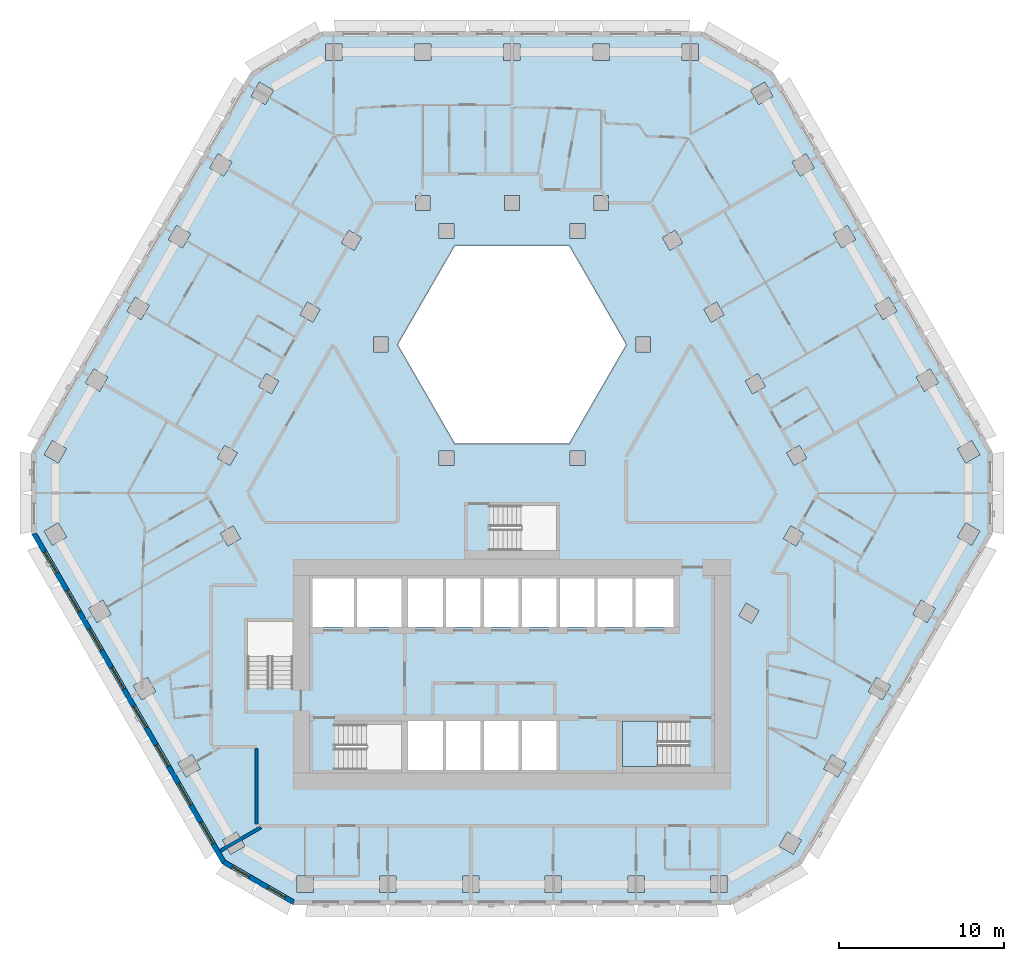
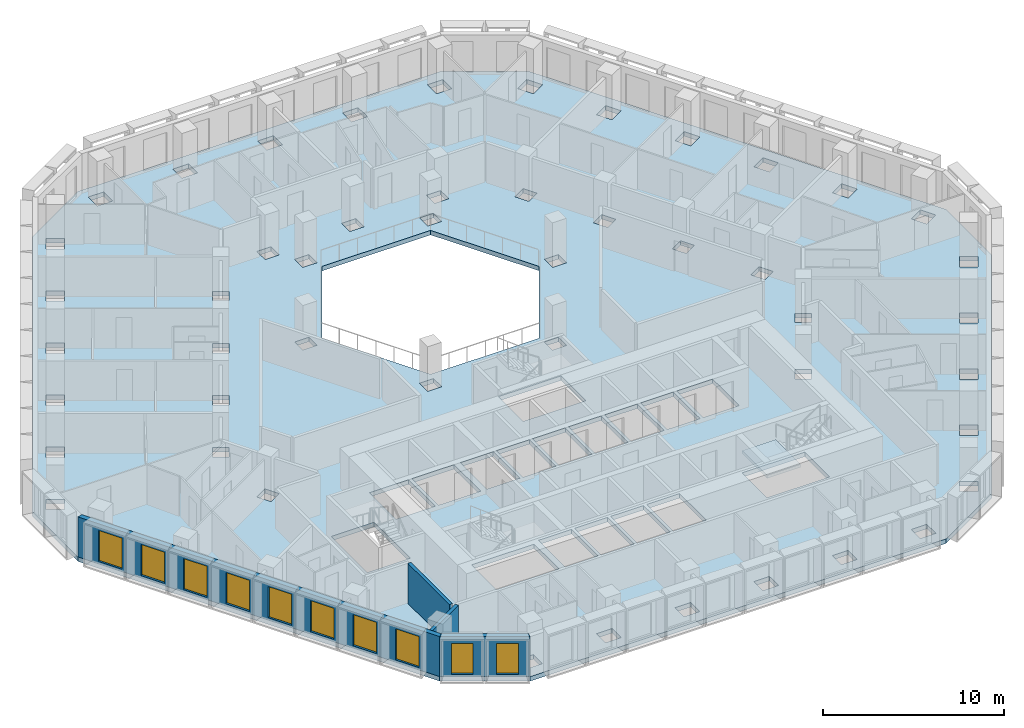
# One storey, part 2 of 18: 10 windows, 4 walls, 2 slabs, 10 openings, 1 element without a shape of its own.
"""IFC4 building model written with IfcOpenShell, lengths in metres."""

from ifc_helpers import new_model, si_unit, direction, frame, frame_2d, origin, place, context, subcontext, project, spatial, polyline, rectangle, outline, extrude, material, layer, layer_set, type_object, element, fill, aggregate, save


model = new_model("IFC4")

# Units and contexts
model_context = context("Model", 3, precision=1e-05, world=origin(), true_north=direction((0.0, 1.0)))
body_context = subcontext(model_context, "Body", "Model", "MODEL_VIEW")
ifc_project = project(units=[si_unit("LENGTHUNIT", "METRE"), si_unit("AREAUNIT", "SQUARE_METRE"), si_unit("VOLUMEUNIT", "CUBIC_METRE"), si_unit("PLANEANGLEUNIT", "RADIAN"), si_unit("MASSUNIT", "GRAM", prefix="KILO")], contexts=[model_context])

# Site, building, storey
site_placement = place(None, origin())
site = spatial("IfcSite", under=ifc_project, at=site_placement, CompositionType="ELEMENT")
building_placement = place(site_placement, origin())
building = spatial("IfcBuilding", under=site, at=building_placement, Name="Beryl Residences", CompositionType="ELEMENT")
storey_placement = place(building_placement, frame((0.0, 0.0, 75.0)))
storey = spatial("IfcBuildingStorey", under=building, at=storey_placement, Name="L22", CompositionType="ELEMENT", Elevation=75.0)

# Slab
ifc_material_1 = material(Name="Concrete C40/50", Category="concrete")
ifc_layer_1 = layer(ifc_material_1, 0.300048828125)
ifc_layer_set_1 = layer_set([ifc_layer_1], Name="SL7 PT floor slab 300 mm C40/50")
slab_type_1 = type_object("IfcSlabType", Name="SL7 PT floor slab 300 mm C40/50", PredefinedType="FLOOR", material=ifc_layer_set_1)
slab_1_placement = place(storey_placement, frame((0.0, 0.0, -0.300048828125)))
element("IfcSlab", 1, at=slab_1_placement, inside=storey, type_object=slab_type_1, Name="L22 slab 1", PredefinedType="FLOOR", context=body_context, shape_type="SweptSolid", body=[
    extrude(outline(polyline([(29.156982421875, -3.5), (17.60888671875, -23.5), (13.279052734375, -26.0), (-13.279052734375, -26.0), (-17.60888671875, -23.5), (-29.156982421875, -3.5), (-29.156982421875, 1.5), (-15.876953125, 24.5), (-11.547119140625, 27.0), (11.547119140625, 27.0), (15.876953125, 24.5), (29.156982421875, 1.5), (29.156982421875, -3.5)]), holes=[polyline([(28.39697265625, 1.31591796875), (27.89697265625, 2.181884765625), (27.031005859375, 1.681884765625), (27.531005859375, 0.81591796875), (28.39697265625, 1.31591796875)]), polyline([(28.39697265625, -3.31591796875), (27.531005859375, -2.81591796875), (27.031005859375, -3.681884765625), (27.89697265625, -4.181884765625), (28.39697265625, -3.31591796875)]), polyline([(25.385009765625, 6.532958984375), (24.51904296875, 6.032958984375), (25.01904296875, 5.1669921875), (25.885009765625, 5.6669921875), (25.385009765625, 6.532958984375)]), polyline([(25.68994140625, -8.00390625), (24.823974609375, -7.50390625), (24.323974609375, -8.3701171875), (25.18994140625, -8.8701171875), (25.68994140625, -8.00390625)]), polyline([(22.873046875, 10.883056640625), (22.007080078125, 10.383056640625), (22.507080078125, 9.51708984375), (23.373046875, 10.01708984375), (22.873046875, 10.883056640625)]), polyline([(22.116943359375, -12.19189453125), (21.616943359375, -13.05810546875), (22.48291015625, -13.55810546875), (22.98291015625, -12.69189453125), (22.116943359375, -12.19189453125)]), polyline([(20.362060546875, 15.23291015625), (19.49609375, 14.73291015625), (19.99609375, 13.866943359375), (20.862060546875, 14.366943359375), (20.362060546875, 15.23291015625)]), polyline([(19.777099609375, -18.24609375), (20.277099609375, -17.3798828125), (19.410888671875, -16.8798828125), (18.910888671875, -17.74609375), (19.777099609375, -18.24609375)]), polyline([(17.85009765625, 19.5830078125), (16.98388671875, 19.0830078125), (17.48388671875, 18.217041015625), (18.35009765625, 18.717041015625), (17.85009765625, 19.5830078125)]), polyline([(17.443115234375, 1.888916015625), (16.6630859375, 1.43896484375), (17.113037109375, 0.658935546875), (17.89306640625, 1.10888671875), (17.443115234375, 1.888916015625)]), polyline([(17.697998046875, -3.447021484375), (16.91796875, -2.9970703125), (16.468017578125, -3.777099609375), (17.248046875, -4.22705078125), (17.697998046875, -3.447021484375)]), polyline([(17.570068359375, -22.068115234375), (16.7041015625, -21.568115234375), (16.2041015625, -22.43408203125), (17.070068359375, -22.93408203125), (17.570068359375, -22.068115234375)]), polyline([(15.839111328125, 23.06689453125), (15.339111328125, 23.93310546875), (14.472900390625, 23.43310546875), (14.972900390625, 22.56689453125), (15.839111328125, 23.06689453125)]), polyline([(14.930908203125, 6.239990234375), (14.15087890625, 5.7900390625), (14.60107421875, 5.010009765625), (15.381103515625, 5.4599609375), (14.930908203125, 6.239990234375)]), polyline([(14.990966796875, -8.135009765625), (14.2109375, -7.68505859375), (13.760986328125, -8.465087890625), (14.541015625, -8.9150390625), (14.990966796875, -8.135009765625)]), polyline([(13.05810546875, -25.25), (13.05810546875, -24.25), (12.05810546875, -24.25), (12.05810546875, -25.25), (13.05810546875, -25.25)]), polyline([(12.419921875, 10.590087890625), (11.639892578125, 10.139892578125), (12.090087890625, 9.360107421875), (12.8701171875, 9.81005859375), (12.419921875, 10.590087890625)]), polyline([(11.324951171875, 26.25), (10.324951171875, 26.25), (10.324951171875, 25.25), (11.324951171875, 25.25), (11.324951171875, 26.25)]), polyline([(10.699951171875, -14.85009765625), (6.699951171875, -14.85009765625), (6.699951171875, -17.60009765625), (10.699951171875, -17.60009765625), (10.699951171875, -14.85009765625)]), polyline([(9.1279296875, 14.489990234375), (9.577880859375, 13.7099609375), (10.35791015625, 14.159912109375), (9.907958984375, 14.93994140625), (9.1279296875, 14.489990234375)]), polyline([(9.800048828125, -6.199951171875), (7.5, -6.199951171875), (7.5, -9.14990234375), (9.800048828125, -9.14990234375), (9.800048828125, -6.199951171875)]), polyline([(8.4169921875, 7.550048828125), (8.4169921875, 8.449951171875), (7.51708984375, 8.449951171875), (7.51708984375, 7.550048828125), (8.4169921875, 7.550048828125)]), polyline([(8.034912109375, -25.25), (8.034912109375, -24.25), (7.034912109375, -24.25), (7.034912109375, -25.25), (8.034912109375, -25.25)]), polyline([(5.199951171875, -6.199951171875), (5.199951171875, -9.14990234375), (7.300048828125, -9.14990234375), (7.300048828125, -6.199951171875), (5.199951171875, -6.199951171875)]), polyline([(3.464111328125, 14.0), (-3.464111328125, 14.0), (-6.92822265625, 8.0), (-3.464111328125, 2.0), (3.464111328125, 2.0), (6.92822265625, 8.0), (3.464111328125, 14.0)]), polyline([(4.912109375, 26.25), (4.912109375, 25.25), (5.912109375, 25.25), (5.912109375, 26.25), (4.912109375, 26.25)]), polyline([(4.9619140625, 17.050048828125), (4.9619140625, 16.14990234375), (5.862060546875, 16.14990234375), (5.862060546875, 17.050048828125), (4.9619140625, 17.050048828125)]), polyline([(2.89990234375, -9.14990234375), (5.0, -9.14990234375), (5.0, -6.199951171875), (2.89990234375, -6.199951171875), (2.89990234375, -9.14990234375)]), polyline([(4.43408203125, 14.449951171875), (4.43408203125, 15.35009765625), (3.533935546875, 15.35009765625), (3.533935546875, 14.449951171875), (4.43408203125, 14.449951171875)]), polyline([(4.43408203125, 0.64990234375), (4.43408203125, 1.550048828125), (3.533935546875, 1.550048828125), (3.533935546875, 0.64990234375), (4.43408203125, 0.64990234375)]), polyline([(2.011962890625, -25.25), (3.011962890625, -25.25), (3.011962890625, -24.25), (2.011962890625, -24.25), (2.011962890625, -25.25)]), polyline([(0.60009765625, -6.199951171875), (0.60009765625, -9.14990234375), (2.699951171875, -9.14990234375), (2.699951171875, -6.199951171875), (0.60009765625, -6.199951171875)]), polyline([(0.60009765625, -17.800048828125), (2.699951171875, -17.800048828125), (2.699951171875, -14.85009765625), (0.60009765625, -14.85009765625), (0.60009765625, -17.800048828125)]), polyline([(-1.300048828125, -1.75), (-1.300048828125, -4.5), (2.699951171875, -4.5), (2.699951171875, -1.75), (-1.300048828125, -1.75)]), polyline([(-0.5009765625, 25.25), (0.4990234375, 25.25), (0.4990234375, 26.25), (-0.5009765625, 26.25), (-0.5009765625, 25.25)]), polyline([(-0.450927734375, 17.050048828125), (-0.450927734375, 16.14990234375), (0.448974609375, 16.14990234375), (0.448974609375, 17.050048828125), (-0.450927734375, 17.050048828125)]), polyline([(-1.699951171875, -9.14990234375), (0.39990234375, -9.14990234375), (0.39990234375, -6.199951171875), (-1.699951171875, -6.199951171875), (-1.699951171875, -9.14990234375)]), polyline([(-1.699951171875, -17.800048828125), (0.39990234375, -17.800048828125), (0.39990234375, -14.85009765625), (-1.699951171875, -14.85009765625), (-1.699951171875, -17.800048828125)]), polyline([(-4.0, -9.14990234375), (-1.89990234375, -9.14990234375), (-1.89990234375, -6.199951171875), (-4.0, -6.199951171875), (-4.0, -9.14990234375)]), polyline([(-4.0, -17.800048828125), (-1.89990234375, -17.800048828125), (-1.89990234375, -14.85009765625), (-4.0, -14.85009765625), (-4.0, -17.800048828125)]), polyline([(-2.010986328125, -25.25), (-2.010986328125, -24.25), (-3.010986328125, -24.25), (-3.010986328125, -25.25), (-2.010986328125, -25.25)]), polyline([(-3.533935546875, 14.449951171875), (-3.533935546875, 15.35009765625), (-4.43408203125, 15.35009765625), (-4.43408203125, 14.449951171875), (-3.533935546875, 14.449951171875)]), polyline([(-3.533935546875, 0.64990234375), (-3.533935546875, 1.550048828125), (-4.43408203125, 1.550048828125), (-4.43408203125, 0.64990234375), (-3.533935546875, 0.64990234375)]), polyline([(-6.300048828125, -17.800048828125), (-4.199951171875, -17.800048828125), (-4.199951171875, -14.85009765625), (-6.300048828125, -14.85009765625), (-6.300048828125, -17.800048828125)]), polyline([(-6.300048828125, -9.14990234375), (-4.199951171875, -9.14990234375), (-4.199951171875, -6.199951171875), (-6.300048828125, -6.199951171875), (-6.300048828125, -9.14990234375)]), polyline([(-5.9140625, 26.25), (-5.9140625, 25.25), (-4.9140625, 25.25), (-4.9140625, 26.25), (-5.9140625, 26.25)]), polyline([(-5.864013671875, 16.14990234375), (-4.964111328125, 16.14990234375), (-4.964111328125, 17.050048828125), (-5.864013671875, 17.050048828125), (-5.864013671875, 16.14990234375)]), polyline([(-6.699951171875, -17.800048828125), (-6.699951171875, -15.050048828125), (-10.699951171875, -15.050048828125), (-10.699951171875, -17.800048828125), (-6.699951171875, -17.800048828125)]), polyline([(-9.39990234375, -9.14990234375), (-6.699951171875, -9.14990234375), (-6.699951171875, -6.199951171875), (-9.39990234375, -6.199951171875), (-9.39990234375, -9.14990234375)]), polyline([(-7.033935546875, -25.25), (-7.033935546875, -24.25), (-8.033935546875, -24.25), (-8.033935546875, -25.25), (-7.033935546875, -25.25)]), polyline([(-8.4169921875, 7.550048828125), (-7.51708984375, 7.550048828125), (-7.51708984375, 8.449951171875), (-8.4169921875, 8.449951171875), (-8.4169921875, 7.550048828125)]), polyline([(-9.577880859375, 13.7099609375), (-9.1279296875, 14.489990234375), (-9.907958984375, 14.93994140625), (-10.35791015625, 14.159912109375), (-9.577880859375, 13.7099609375)]), polyline([(-12.10009765625, -9.14990234375), (-9.60009765625, -9.14990234375), (-9.60009765625, -6.199951171875), (-12.10009765625, -6.199951171875), (-12.10009765625, -9.14990234375)]), polyline([(-11.326904296875, 26.25), (-11.326904296875, 25.25), (-10.326904296875, 25.25), (-10.326904296875, 26.25), (-11.326904296875, 26.25)]), polyline([(-12.868896484375, 9.81005859375), (-12.089111328125, 9.360107421875), (-11.638916015625, 10.139892578125), (-12.4189453125, 10.590087890625), (-12.868896484375, 9.81005859375)]), polyline([(-12.056884765625, -24.25), (-13.056884765625, -24.25), (-13.056884765625, -25.25), (-12.056884765625, -25.25), (-12.056884765625, -24.25)]), polyline([(-13.300048828125, -8.800048828125), (-16.050048828125, -8.800048828125), (-16.050048828125, -12.800048828125), (-13.300048828125, -12.800048828125), (-13.300048828125, -8.800048828125)]), polyline([(-15.381103515625, 5.4599609375), (-14.60107421875, 5.010009765625), (-14.15087890625, 5.7900390625), (-14.930908203125, 6.239990234375), (-15.381103515625, 5.4599609375)]), polyline([(-14.971923828125, 22.568115234375), (-14.471923828125, 23.43408203125), (-15.337890625, 23.93408203125), (-15.837890625, 23.068115234375), (-14.971923828125, 22.568115234375)]), polyline([(-17.070068359375, -22.93408203125), (-16.2041015625, -22.43408203125), (-16.7041015625, -21.568115234375), (-17.570068359375, -22.068115234375), (-17.070068359375, -22.93408203125)]), polyline([(-17.248046875, -4.22705078125), (-16.468017578125, -3.777099609375), (-16.91796875, -2.9970703125), (-17.697998046875, -3.447021484375), (-17.248046875, -4.22705078125)]), polyline([(-17.89208984375, 1.110107421875), (-17.112060546875, 0.659912109375), (-16.662109375, 1.43994140625), (-17.44189453125, 1.889892578125), (-17.89208984375, 1.110107421875)]), polyline([(-18.35009765625, 18.717041015625), (-17.48388671875, 18.217041015625), (-16.98388671875, 19.0830078125), (-17.85009765625, 19.5830078125), (-18.35009765625, 18.717041015625)]), polyline([(-19.777099609375, -18.24609375), (-18.910888671875, -17.74609375), (-19.410888671875, -16.8798828125), (-20.277099609375, -17.3798828125), (-19.777099609375, -18.24609375)]), polyline([(-20.861083984375, 14.366943359375), (-19.9951171875, 13.866943359375), (-19.4951171875, 14.73291015625), (-20.361083984375, 15.23291015625), (-20.861083984375, 14.366943359375)]), polyline([(-21.616943359375, -13.05810546875), (-22.116943359375, -12.19189453125), (-22.98291015625, -12.69189453125), (-22.48291015625, -13.55810546875), (-21.616943359375, -13.05810546875)]), polyline([(-23.373046875, 10.01708984375), (-22.507080078125, 9.51708984375), (-22.007080078125, 10.383056640625), (-22.873046875, 10.883056640625), (-23.373046875, 10.01708984375)]), polyline([(-25.18994140625, -8.8701171875), (-24.323974609375, -8.3701171875), (-24.823974609375, -7.50390625), (-25.68994140625, -8.00390625), (-25.18994140625, -8.8701171875)]), polyline([(-25.385009765625, 6.532958984375), (-25.885009765625, 5.6669921875), (-25.01904296875, 5.1669921875), (-24.51904296875, 6.032958984375), (-25.385009765625, 6.532958984375)]), polyline([(-28.39599609375, 1.31689453125), (-27.530029296875, 0.81689453125), (-27.030029296875, 1.68310546875), (-27.89599609375, 2.18310546875), (-28.39599609375, 1.31689453125)]), polyline([(-27.031005859375, -3.681884765625), (-27.531005859375, -2.81591796875), (-28.39697265625, -3.31591796875), (-27.89697265625, -4.181884765625), (-27.031005859375, -3.681884765625)])]), origin(), (0.0, 0.0, 1.0), 0.300048828125),
])

# Stair, slab
ifc_material_2 = material(Name="Concrete C40/50", Category="concrete")
stair_type = type_object("IfcStairType", Name="ST1 protected exit stair, half-turn, 1300 mm flights", PredefinedType="HALF_TURN_STAIR", material=ifc_material_2)
stair_placement = place(storey_placement, origin())
stair = element("IfcStair", 2, at=stair_placement, inside=storey, type_object=stair_type, Name="L22 PROTECTED EXIT STAIR ST-3", PredefinedType="HALF_TURN_STAIR")
ifc_material_3 = material(Name="Concrete C40/50", Category="concrete")
ifc_layer_2 = layer(ifc_material_3, 0.199951171875)
ifc_layer_set_2 = layer_set([ifc_layer_2], Name="SLD1 stair landing 200 mm")
slab_type_2 = type_object("IfcSlabType", Name="SLD1 stair landing 200 mm", PredefinedType="LANDING", material=ifc_layer_set_2)
slab_2_placement = place(storey_placement, frame((0.0, 0.0, 1.300048828125)))
slab_2 = element("IfcSlab", 3, at=slab_2_placement, type_object=slab_type_2, Name="ST-3 landing 1", PredefinedType="LANDING", context=body_context, shape_type="SweptSolid", body=[
    extrude(outline(polyline([(8.840087890625, -14.85009765625), (6.699951171875, -14.85009765625), (6.699951171875, -17.60009765625), (8.840087890625, -17.60009765625), (8.840087890625, -14.85009765625)])), origin(), (0.0, 0.0, 1.0), 0.199951171875),
])
aggregate(stair, [slab_2])

# Wall, openings, windows
ifc_material_4 = material(Name="Composite metal panel with mineral wool insulation")
ifc_layer_3 = layer(ifc_material_4, 0.300048828125)
ifc_layer_set_3 = layer_set([ifc_layer_3], Name="ES1 pale metal composite panel wall 300 mm")
wall_type_1 = type_object("IfcWallType", Name="ES1 pale metal composite panel wall 300 mm", PredefinedType="SOLIDWALL", material=ifc_layer_set_3)
wall_1_placement = place(storey_placement, frame((-29.027099609375, -3.425048828125, 0.0), z_axis=(0.0, 0.0, 1.0), x_axis=(0.500035407905, -0.866004960056, 0.0)))
wall_1 = element("IfcWall", 4, at=wall_1_placement, inside=storey, type_object=wall_type_1, Name="ES1 external wall L22 SW", PredefinedType="SOLIDWALL", context=body_context, shape_type="SweptSolid", body=[
    extrude(outline(polyline([(0.0, -0.14990234375), (23.094482421875, -0.14990234375), (23.01416015625, 0.14990234375), (0.080322265625, 0.14990234375), (0.0, -0.14990234375)])), origin(), (0.0, 0.0, 1.0), 2.699951171875),
])
opening_1_placement = place(wall_1_placement, frame((1.323974609375, 0.0, 0.14990234375)))
opening_1 = element("IfcOpeningElement", 5, at=opening_1_placement, cuts=wall_1, Name="Opening W1", PredefinedType="OPENING", context=body_context, shape_type="SweptSolid", body=[
    extrude(rectangle(XDim=1.5, YDim=2.10009765625, at=frame_2d((0.75, 1.050048828125))), frame((0.0, 0.159912109375, 0.0), z_axis=(0.0, -1.0, 0.0), x_axis=(1.0, 0.0, 0.0)), (0.0, 0.0, 1.0), 0.320068359375),
])
opening_2_placement = place(wall_1_placement, frame((4.031005859375, 0.0, 0.14990234375)))
opening_2 = element("IfcOpeningElement", 6, at=opening_2_placement, cuts=wall_1, Name="Opening W1", PredefinedType="OPENING", context=body_context, shape_type="SweptSolid", body=[
    extrude(rectangle(XDim=1.5, YDim=2.10009765625, at=frame_2d((0.75, 1.050048828125))), frame((0.0, 0.159912109375, 0.0), z_axis=(0.0, -1.0, 0.0), x_axis=(1.0, 0.0, 0.0)), (0.0, 0.0, 1.0), 0.320068359375),
])
opening_3_placement = place(wall_1_placement, frame((6.737060546875, 0.0, 0.14990234375)))
opening_3 = element("IfcOpeningElement", 7, at=opening_3_placement, cuts=wall_1, Name="Opening W1", PredefinedType="OPENING", context=body_context, shape_type="SweptSolid", body=[
    extrude(rectangle(XDim=1.5, YDim=2.10009765625, at=frame_2d((0.75, 1.050048828125))), frame((0.0, 0.159912109375, 0.0), z_axis=(0.0, -1.0, 0.0), x_axis=(1.0, 0.0, 0.0)), (0.0, 0.0, 1.0), 0.320068359375),
])
opening_4_placement = place(wall_1_placement, frame((9.444091796875, 0.0, 0.14990234375)))
opening_4 = element("IfcOpeningElement", 8, at=opening_4_placement, cuts=wall_1, Name="Opening W1", PredefinedType="OPENING", context=body_context, shape_type="SweptSolid", body=[
    extrude(rectangle(XDim=1.5, YDim=2.10009765625, at=frame_2d((0.75, 1.050048828125))), frame((0.0, 0.159912109375, 0.0), z_axis=(0.0, -1.0, 0.0), x_axis=(1.0, 0.0, 0.0)), (0.0, 0.0, 1.0), 0.320068359375),
])
opening_5_placement = place(wall_1_placement, frame((12.15087890625, 0.0, 0.14990234375)))
opening_5 = element("IfcOpeningElement", 9, at=opening_5_placement, cuts=wall_1, Name="Opening W1", PredefinedType="OPENING", context=body_context, shape_type="SweptSolid", body=[
    extrude(rectangle(XDim=1.5, YDim=2.10009765625, at=frame_2d((0.75, 1.050048828125))), frame((0.0, 0.159912109375, 0.0), z_axis=(0.0, -1.0, 0.0), x_axis=(1.0, 0.0, 0.0)), (0.0, 0.0, 1.0), 0.320068359375),
])
opening_6_placement = place(wall_1_placement, frame((14.85693359375, 0.0, 0.14990234375)))
opening_6 = element("IfcOpeningElement", 10, at=opening_6_placement, cuts=wall_1, Name="Opening W1", PredefinedType="OPENING", context=body_context, shape_type="SweptSolid", body=[
    extrude(rectangle(XDim=1.5, YDim=2.10009765625, at=frame_2d((0.75, 1.050048828125))), frame((0.0, 0.159912109375, 0.0), z_axis=(0.0, -1.0, 0.0), x_axis=(1.0, 0.0, 0.0)), (0.0, 0.0, 1.0), 0.320068359375),
])
opening_7_placement = place(wall_1_placement, frame((17.56396484375, 0.0, 0.14990234375)))
opening_7 = element("IfcOpeningElement", 11, at=opening_7_placement, cuts=wall_1, Name="Opening W1", PredefinedType="OPENING", context=body_context, shape_type="SweptSolid", body=[
    extrude(rectangle(XDim=1.5, YDim=2.10009765625, at=frame_2d((0.75, 1.050048828125))), frame((0.0, 0.159912109375, 0.0), z_axis=(0.0, -1.0, 0.0), x_axis=(1.0, 0.0, 0.0)), (0.0, 0.0, 1.0), 0.320068359375),
])
opening_8_placement = place(wall_1_placement, frame((20.27001953125, 0.0, 0.14990234375)))
opening_8 = element("IfcOpeningElement", 12, at=opening_8_placement, cuts=wall_1, Name="Opening W1", PredefinedType="OPENING", context=body_context, shape_type="SweptSolid", body=[
    extrude(rectangle(XDim=1.5, YDim=2.10009765625, at=frame_2d((0.75, 1.050048828125))), frame((0.0, 0.159912109375, 0.0), z_axis=(0.0, -1.0, 0.0), x_axis=(1.0, 0.0, 0.0)), (0.0, 0.0, 1.0), 0.320068359375),
])
ifc_material_5 = material(Name="Aluminium and clear glass", Category="aluminium")
window_type_1 = type_object("IfcWindowType", Name="W1 cell window 1500 x 2100 mm", PartitioningType="SINGLE_PANEL", PredefinedType="WINDOW", material=ifc_material_5)
window_1_placement = place(opening_1_placement, origin())
window_1 = element("IfcWindow", 13, at=window_1_placement, inside=storey, type_object=window_type_1, Name="W1 window L22 SW 1", OverallHeight=2.10009765625, OverallWidth=1.5, PartitioningType="SINGLE_PANEL", PredefinedType="WINDOW", context=body_context, shape_type="SweptSolid", body=[
    extrude(rectangle(XDim=1.5, YDim=2.10009765625, at=frame_2d((0.75, 1.050048828125))), frame((0.0, 0.030029296875, 0.0), z_axis=(0.0, -1.0, 0.0), x_axis=(1.0, 0.0, 0.0)), (0.0, 0.0, 1.0), 0.06005859375),
])
fill(opening_1, window_1)
window_2_placement = place(opening_2_placement, origin())
window_2 = element("IfcWindow", 14, at=window_2_placement, inside=storey, type_object=window_type_1, Name="W1 window L22 SW 2", OverallHeight=2.10009765625, OverallWidth=1.5, PartitioningType="SINGLE_PANEL", PredefinedType="WINDOW", context=body_context, shape_type="SweptSolid", body=[
    extrude(rectangle(XDim=1.5, YDim=2.10009765625, at=frame_2d((0.75, 1.050048828125))), frame((0.0, 0.030029296875, 0.0), z_axis=(0.0, -1.0, 0.0), x_axis=(1.0, 0.0, 0.0)), (0.0, 0.0, 1.0), 0.06005859375),
])
fill(opening_2, window_2)
window_3_placement = place(opening_3_placement, origin())
window_3 = element("IfcWindow", 15, at=window_3_placement, inside=storey, type_object=window_type_1, Name="W1 window L22 SW 3", OverallHeight=2.10009765625, OverallWidth=1.5, PartitioningType="SINGLE_PANEL", PredefinedType="WINDOW", context=body_context, shape_type="SweptSolid", body=[
    extrude(rectangle(XDim=1.5, YDim=2.10009765625, at=frame_2d((0.75, 1.050048828125))), frame((0.0, 0.030029296875, 0.0), z_axis=(0.0, -1.0, 0.0), x_axis=(1.0, 0.0, 0.0)), (0.0, 0.0, 1.0), 0.06005859375),
])
fill(opening_3, window_3)
window_4_placement = place(opening_4_placement, origin())
window_4 = element("IfcWindow", 16, at=window_4_placement, inside=storey, type_object=window_type_1, Name="W1 window L22 SW 4", OverallHeight=2.10009765625, OverallWidth=1.5, PartitioningType="SINGLE_PANEL", PredefinedType="WINDOW", context=body_context, shape_type="SweptSolid", body=[
    extrude(rectangle(XDim=1.5, YDim=2.10009765625, at=frame_2d((0.75, 1.050048828125))), frame((0.0, 0.030029296875, 0.0), z_axis=(0.0, -1.0, 0.0), x_axis=(1.0, 0.0, 0.0)), (0.0, 0.0, 1.0), 0.06005859375),
])
fill(opening_4, window_4)
window_5_placement = place(opening_5_placement, origin())
window_5 = element("IfcWindow", 17, at=window_5_placement, inside=storey, type_object=window_type_1, Name="W1 window L22 SW 5", OverallHeight=2.10009765625, OverallWidth=1.5, PartitioningType="SINGLE_PANEL", PredefinedType="WINDOW", context=body_context, shape_type="SweptSolid", body=[
    extrude(rectangle(XDim=1.5, YDim=2.10009765625, at=frame_2d((0.75, 1.050048828125))), frame((0.0, 0.030029296875, 0.0), z_axis=(0.0, -1.0, 0.0), x_axis=(1.0, 0.0, 0.0)), (0.0, 0.0, 1.0), 0.06005859375),
])
fill(opening_5, window_5)
window_6_placement = place(opening_6_placement, origin())
window_6 = element("IfcWindow", 18, at=window_6_placement, inside=storey, type_object=window_type_1, Name="W1 window L22 SW 6", OverallHeight=2.10009765625, OverallWidth=1.5, PartitioningType="SINGLE_PANEL", PredefinedType="WINDOW", context=body_context, shape_type="SweptSolid", body=[
    extrude(rectangle(XDim=1.5, YDim=2.10009765625, at=frame_2d((0.75, 1.050048828125))), frame((0.0, 0.030029296875, 0.0), z_axis=(0.0, -1.0, 0.0), x_axis=(1.0, 0.0, 0.0)), (0.0, 0.0, 1.0), 0.06005859375),
])
fill(opening_6, window_6)
window_7_placement = place(opening_7_placement, origin())
window_7 = element("IfcWindow", 19, at=window_7_placement, inside=storey, type_object=window_type_1, Name="W1 window L22 SW 7", OverallHeight=2.10009765625, OverallWidth=1.5, PartitioningType="SINGLE_PANEL", PredefinedType="WINDOW", context=body_context, shape_type="SweptSolid", body=[
    extrude(rectangle(XDim=1.5, YDim=2.10009765625, at=frame_2d((0.75, 1.050048828125))), frame((0.0, 0.030029296875, 0.0), z_axis=(0.0, -1.0, 0.0), x_axis=(1.0, 0.0, 0.0)), (0.0, 0.0, 1.0), 0.06005859375),
])
fill(opening_7, window_7)
window_8_placement = place(opening_8_placement, origin())
window_8 = element("IfcWindow", 20, at=window_8_placement, inside=storey, type_object=window_type_1, Name="W1 window L22 SW 8", OverallHeight=2.10009765625, OverallWidth=1.5, PartitioningType="SINGLE_PANEL", PredefinedType="WINDOW", context=body_context, shape_type="SweptSolid", body=[
    extrude(rectangle(XDim=1.5, YDim=2.10009765625, at=frame_2d((0.75, 1.050048828125))), frame((0.0, 0.030029296875, 0.0), z_axis=(0.0, -1.0, 0.0), x_axis=(1.0, 0.0, 0.0)), (0.0, 0.0, 1.0), 0.06005859375),
])
fill(opening_8, window_8)

wall_2_placement = place(storey_placement, frame((-17.533935546875, -23.3701171875, 0.0), z_axis=(0.0, 0.0, 1.0), x_axis=(0.866010750942, -0.50002537861, 0.0)))
wall_2 = element("IfcWall", 21, at=wall_2_placement, inside=storey, type_object=wall_type_1, Name="ES1 external wall L22 SW-S", PredefinedType="SOLIDWALL", context=body_context, shape_type="SweptSolid", body=[
    extrude(outline(polyline([(0.0, -0.14990234375), (4.999755859375, -0.14990234375), (4.91943359375, 0.14990234375), (0.080322265625, 0.14990234375), (0.0, -0.14990234375)])), origin(), (0.0, 0.0, 1.0), 2.699951171875),
])
opening_9_placement = place(wall_2_placement, frame((0.64990234375, 0.0, 0.14990234375)))
opening_9 = element("IfcOpeningElement", 22, at=opening_9_placement, cuts=wall_2, Name="Opening W2", PredefinedType="OPENING", context=body_context, shape_type="SweptSolid", body=[
    extrude(rectangle(XDim=1.199951171875, YDim=2.10009765625, at=frame_2d((0.60009765625, 1.050048828125))), frame((0.0, 0.159912109375, 0.0), z_axis=(0.0, -1.0, 0.0), x_axis=(1.0, 0.0, 0.0)), (0.0, 0.0, 1.0), 0.320068359375),
])
opening_10_placement = place(wall_2_placement, frame((3.14990234375, 0.0, 0.14990234375)))
opening_10 = element("IfcOpeningElement", 23, at=opening_10_placement, cuts=wall_2, Name="Opening W2", PredefinedType="OPENING", context=body_context, shape_type="SweptSolid", body=[
    extrude(rectangle(XDim=1.199951171875, YDim=2.10009765625, at=frame_2d((0.60009765625, 1.050048828125))), frame((0.0, 0.159912109375, 0.0), z_axis=(0.0, -1.0, 0.0), x_axis=(1.0, 0.0, 0.0)), (0.0, 0.0, 1.0), 0.320068359375),
])
ifc_material_6 = material(Name="Aluminium and clear glass", Category="aluminium")
window_type_2 = type_object("IfcWindowType", Name="W2 chamfer window 1200 x 2100 mm", PartitioningType="SINGLE_PANEL", PredefinedType="WINDOW", material=ifc_material_6)
window_9_placement = place(opening_9_placement, origin())
window_9 = element("IfcWindow", 24, at=window_9_placement, inside=storey, type_object=window_type_2, Name="W2 window L22 SW-S 1", OverallHeight=2.10009765625, OverallWidth=1.199951171875, PartitioningType="SINGLE_PANEL", PredefinedType="WINDOW", context=body_context, shape_type="SweptSolid", body=[
    extrude(rectangle(XDim=1.199951171875, YDim=2.10009765625, at=frame_2d((0.60009765625, 1.050048828125))), frame((0.0, 0.030029296875, 0.0), z_axis=(0.0, -1.0, 0.0), x_axis=(1.0, 0.0, 0.0)), (0.0, 0.0, 1.0), 0.06005859375),
])
fill(opening_9, window_9)
window_10_placement = place(opening_10_placement, origin())
window_10 = element("IfcWindow", 25, at=window_10_placement, inside=storey, type_object=window_type_2, Name="W2 window L22 SW-S 2", OverallHeight=2.10009765625, OverallWidth=1.199951171875, PartitioningType="SINGLE_PANEL", PredefinedType="WINDOW", context=body_context, shape_type="SweptSolid", body=[
    extrude(rectangle(XDim=1.199951171875, YDim=2.10009765625, at=frame_2d((0.60009765625, 1.050048828125))), frame((0.0, 0.030029296875, 0.0), z_axis=(0.0, -1.0, 0.0), x_axis=(1.0, 0.0, 0.0)), (0.0, 0.0, 1.0), 0.06005859375),
])
fill(opening_10, window_10)

# Walls
ifc_material_7 = material(Name="Acoustic double stud gypsum board wall")
ifc_layer_4 = layer(ifc_material_7, 0.199951171875)
ifc_layer_set_4 = layer_set([ifc_layer_4], Name="PT3 party wall 200 mm acoustic double stud")
wall_type_2 = type_object("IfcWallType", Name="PT3 party wall 200 mm acoustic double stud", PredefinedType="PARTITIONING", material=ifc_layer_set_4)
wall_3_placement = place(storey_placement, frame((-17.708984375, -22.72509765625, 0.0), z_axis=(0.0, 0.0, 1.0), x_axis=(0.866090043625, 0.499888023795, 0.0)))
element("IfcWall", 26, at=wall_3_placement, inside=storey, type_object=wall_type_2, Name="Wall PT3 L22 010", PredefinedType="PARTITIONING", context=body_context, shape_type="SweptSolid", body=[
    extrude(rectangle(XDim=2.850830078125, YDim=0.199951171875, at=frame_2d((1.42529296875, 0.0))), origin(), (0.0, 0.0, 1.0), 2.699951171875),
])
ifc_material_8 = material(Name="Double stud gypsum board wall")
ifc_layer_5 = layer(ifc_material_8, 0.199951171875)
ifc_layer_set_5 = layer_set([ifc_layer_5], Name="PT4 corridor wall 200 mm double stud")
wall_type_3 = type_object("IfcWallType", Name="PT4 corridor wall 200 mm double stud", PredefinedType="PARTITIONING", material=ifc_layer_set_5)
wall_4_placement = place(storey_placement, frame((-15.5, -16.5009765625, 0.0), z_axis=(0.0, 0.0, 1.0), x_axis=(0.0, -1.0, 0.0)))
element("IfcWall", 27, at=wall_4_placement, inside=storey, type_object=wall_type_3, Name="Wall PT4 L22 007", PredefinedType="PARTITIONING", context=body_context, shape_type="SweptSolid", body=[
    extrude(rectangle(XDim=4.59814453125, YDim=0.199951171875, at=frame_2d((2.299072265625, 0.0))), origin(), (0.0, 0.0, 1.0), 2.699951171875),
])

save(model, "model.ifc")
